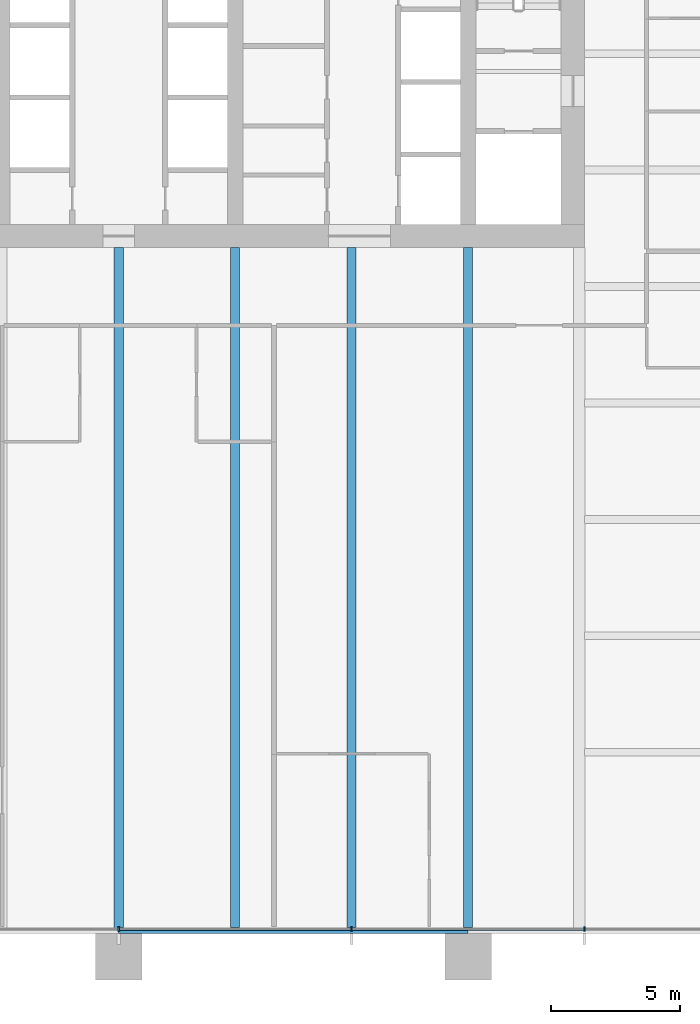
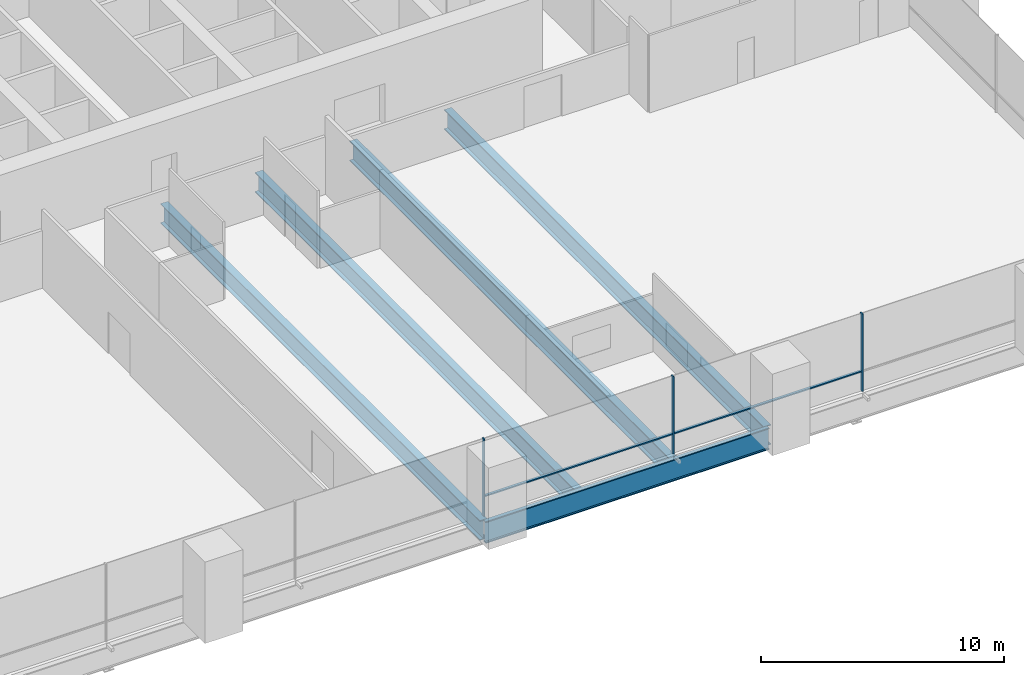
# One storey, part 5 of 17: 5 beams, 5 members, 1 element without a shape of its own.
"""IFC4 building model written with IfcOpenShell, lengths in metres."""

from ifc_helpers import new_model, si_unit, direction, frame, origin, origin_2d, place, context, subcontext, project, spatial, rectangle, i_section, extrude, material, material_profile, profile_set, type_object, element, aggregate, save


model = new_model("IFC4")

# Units and contexts
model_context = context("Model", 3, precision=1e-05, world=origin(), true_north=direction((0.0, 1.0)))
body_context = subcontext(model_context, "Body", "Model", "MODEL_VIEW")
ifc_project = project(units=[si_unit("LENGTHUNIT", "METRE"), si_unit("AREAUNIT", "SQUARE_METRE"), si_unit("VOLUMEUNIT", "CUBIC_METRE"), si_unit("PLANEANGLEUNIT", "RADIAN"), si_unit("MASSUNIT", "GRAM", prefix="KILO")], contexts=[model_context])

# Site, building, storey
site_placement = place(None, origin())
site = spatial("IfcSite", under=ifc_project, at=site_placement, CompositionType="ELEMENT")
building_placement = place(site_placement, origin())
building = spatial("IfcBuilding", under=site, at=building_placement, Name="Rattan Terrace Tower", CompositionType="ELEMENT")
storey_placement = place(building_placement, frame((0.0, 0.0, 48.800048828125)))
storey = spatial("IfcBuildingStorey", under=building, at=storey_placement, Name="L10", CompositionType="ELEMENT", Elevation=48.800048828125)

# Curtain wall, members
ifc_material_1 = material(Name="Aluminium and glass", Category="aluminium")
curtain_wall_type = type_object("IfcCurtainWallType", Name="Facade Unitised Curtain Wall", PredefinedType="NOTDEFINED", material=ifc_material_1)
curtain_wall_placement = place(storey_placement, origin())
curtain_wall = element("IfcCurtainWall", 1, at=curtain_wall_placement, inside=storey, type_object=curtain_wall_type, Name="Curtain wall L10-4", PredefinedType="NOTDEFINED")
ifc_material_2 = material(Name="Aluminium", Category="aluminium")
ifc_material_profile_1 = material_profile(ifc_material_2, rectangle(XDim=0.06005859375, YDim=0.159912109375, at=origin_2d()), Name="Aluminium 60x160")
ifc_profile_set_1 = profile_set([ifc_material_profile_1], Name="Aluminium")
member_type_1 = type_object("IfcMemberType", Name="Facade CW Mullion 60x160", PredefinedType="MULLION", material=ifc_profile_set_1)
member_1_placement = place(storey_placement, frame((0.0, -33.830078125, 0.0), z_axis=(0.0, 0.0, 1.0), x_axis=(1.0, 0.0, 0.0)))
member_1 = element("IfcMember", 2, at=member_1_placement, type_object=member_type_1, Name="Mullion cwl-L10-004.4", PredefinedType="MULLION", context=body_context, shape_type="SweptSolid", body=[
    extrude(rectangle(XDim=0.06005859375, YDim=0.159912109375, at=origin_2d()), origin(), (0.0, 0.0, 1.0), 3.89990234375),
])
member_2_placement = place(storey_placement, frame((9.0, -33.830078125, 0.0), z_axis=(0.0, 0.0, 1.0), x_axis=(1.0, 0.0, 0.0)))
member_2 = element("IfcMember", 3, at=member_2_placement, type_object=member_type_1, Name="Mullion cwl-L10-004.5", PredefinedType="MULLION", context=body_context, shape_type="SweptSolid", body=[
    extrude(rectangle(XDim=0.06005859375, YDim=0.159912109375, at=origin_2d()), origin(), (0.0, 0.0, 1.0), 3.89990234375),
])
member_3_placement = place(storey_placement, frame((18.0, -33.830078125, 0.0), z_axis=(0.0, 0.0, 1.0), x_axis=(1.0, 0.0, 0.0)))
member_3 = element("IfcMember", 4, at=member_3_placement, type_object=member_type_1, Name="Mullion cwl-L10-004.6", PredefinedType="MULLION", context=body_context, shape_type="SweptSolid", body=[
    extrude(rectangle(XDim=0.06005859375, YDim=0.159912109375, at=origin_2d()), origin(), (0.0, 0.0, 1.0), 3.89990234375),
])
ifc_material_3 = material(Name="Aluminium", Category="aluminium")
ifc_material_profile_2 = material_profile(ifc_material_3, rectangle(XDim=0.1201171875, YDim=0.06005859375, at=origin_2d()), Name="Aluminium 120x60")
ifc_profile_set_2 = profile_set([ifc_material_profile_2], Name="Aluminium")
member_type_2 = type_object("IfcMemberType", Name="Facade CW Transom 120x60", PredefinedType="USERDEFINED", material=ifc_profile_set_2)
member_4_placement = place(storey_placement, frame((0.030029296875, -33.830078125, 1.0), z_axis=(1.0, 0.0, 0.0), x_axis=(0.0, 1.0, 0.0)))
member_4 = element("IfcMember", 5, at=member_4_placement, type_object=member_type_2, Name="Transom cwl-L10-004.4", ObjectType="TRANSOM", PredefinedType="USERDEFINED", context=body_context, shape_type="SweptSolid", body=[
    extrude(rectangle(XDim=0.1201171875, YDim=0.06005859375, at=origin_2d()), origin(), (0.0, 0.0, 1.0), 8.93994140625),
])
member_5_placement = place(storey_placement, frame((9.030029296875, -33.830078125, 1.0), z_axis=(1.0, 0.0, 0.0), x_axis=(0.0, 1.0, 0.0)))
member_5 = element("IfcMember", 6, at=member_5_placement, type_object=member_type_2, Name="Transom cwl-L10-004.5", ObjectType="TRANSOM", PredefinedType="USERDEFINED", context=body_context, shape_type="SweptSolid", body=[
    extrude(rectangle(XDim=0.1201171875, YDim=0.06005859375, at=origin_2d()), origin(), (0.0, 0.0, 1.0), 8.93994140625),
])
aggregate(curtain_wall, [member_1, member_2, member_3, member_4, member_5])

# Beams
ifc_material_4 = material(Name="Steel S460", Category="steel")
ifc_material_profile_3 = material_profile(ifc_material_4, i_section(OverallWidth=0.179931640625, OverallDepth=1.10009765625, WebThickness=0.01611328125, FlangeThickness=0.050048828125, at=origin_2d()), Name="PG 1100x180-16-50")
ifc_profile_set_3 = profile_set([ifc_material_profile_3], Name="Steel S460")
beam_type_1 = type_object("IfcBeamType", Name="Frame edge girder PG 1100x180-16-50", PredefinedType="SPANDREL", material=ifc_profile_set_3)
beam_placement = place(storey_placement, frame((0.0, -33.909912109375, -0.75), z_axis=(1.0, 0.0, 0.0), x_axis=(0.0, 1.0, 0.0)))
element("IfcBeam", 7, at=beam_placement, inside=storey, type_object=beam_type_1, Name="gdr-L10-003", PredefinedType="SPANDREL", context=body_context, shape_type="SweptSolid", body=[
    extrude(i_section(OverallWidth=0.179931640625, OverallDepth=1.10009765625, WebThickness=0.01611328125, FlangeThickness=0.050048828125, at=origin_2d()), origin(), (0.0, 0.0, 1.0), 13.5),
])
ifc_material_5 = material(Name="Steel S460", Category="steel")
ifc_material_profile_4 = material_profile(ifc_material_5, i_section(OverallWidth=0.35009765625, OverallDepth=1.0, WebThickness=0.01611328125, FlangeThickness=0.044921875, at=origin_2d()), Name="PG 1000x350-16-45")
ifc_profile_set_4 = profile_set([ifc_material_profile_4], Name="Steel S460")
beam_type_2 = type_object("IfcBeamType", Name="Frame floor beam PG 1000x350-16-45", PredefinedType="JOIST", material=ifc_profile_set_4)
for number, where, z_axis, x_axis, name in (
    (8, (0.0, -33.820068359375, -0.699951171875), (0.0, 1.0, 0.0), (-1.0, 0.0, 0.0), "bm-L10-006"),
    (9, (4.5, -33.820068359375, -0.699951171875), (0.0, 1.0, 0.0), (-1.0, 0.0, 0.0), "bm-L10-007"),
    (10, (9.0, -33.820068359375, -0.699951171875), (0.0, 1.0, 0.0), (-1.0, 0.0, 0.0), "bm-L10-008"),
    (11, (13.5, -33.820068359375, -0.699951171875), (0.0, 1.0, 0.0), (-1.0, 0.0, 0.0), "bm-L10-009"),
):
    element("IfcBeam", number, at=place(storey_placement, frame(where, z_axis=z_axis, x_axis=x_axis)), inside=storey, type_object=beam_type_2, Name=name, PredefinedType="JOIST", context=body_context, shape_type="SweptSolid", body=[
        extrude(i_section(OverallWidth=0.35009765625, OverallDepth=1.0, WebThickness=0.01611328125, FlangeThickness=0.044921875, at=origin_2d()), origin(), (0.0, 0.0, 1.0), 26.320068359375),
    ])

save(model, "model.ifc")
